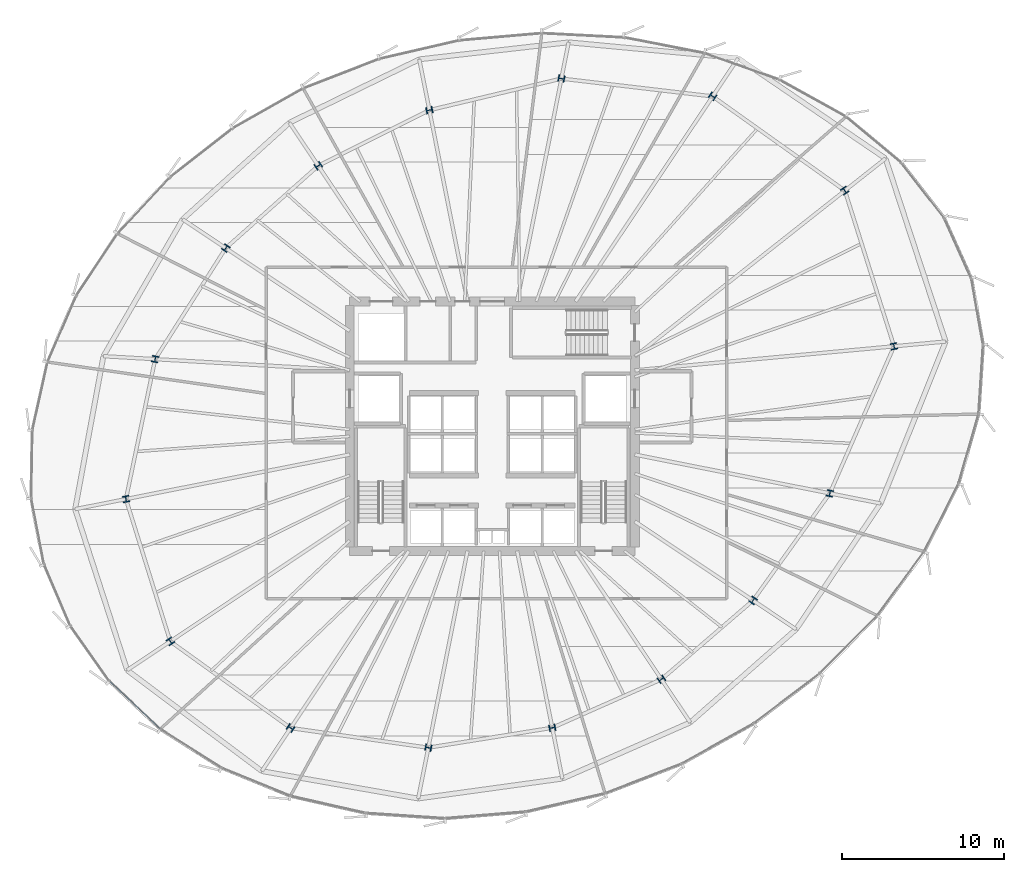
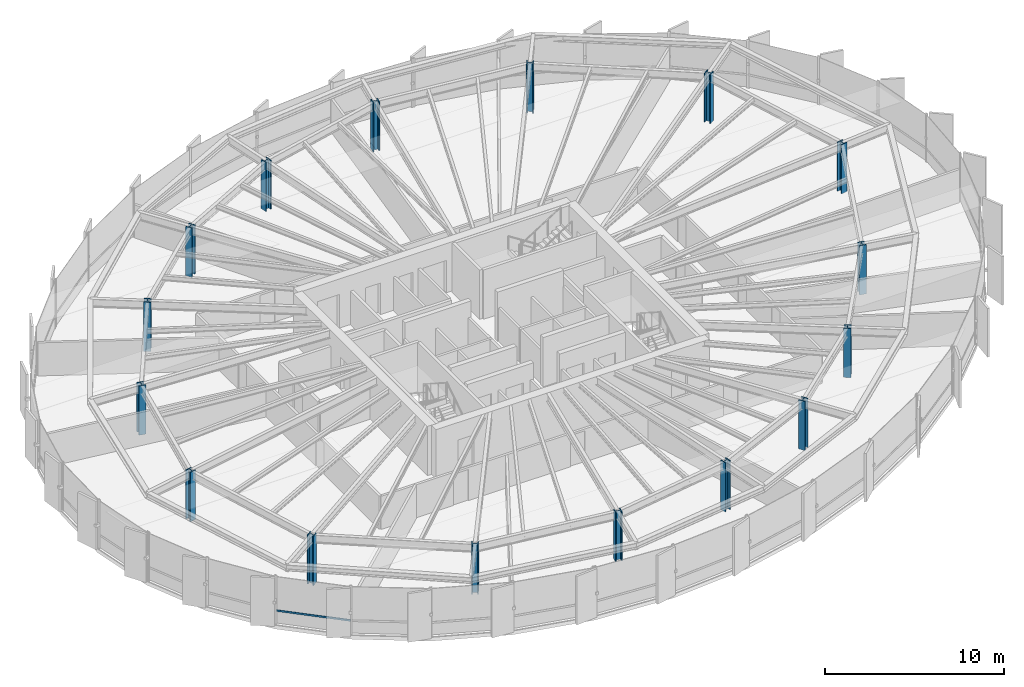
# One storey, part 1 of 35: 16 columns, 1 member, 1 element without a shape of its own.
"""IFC4 building model written with IfcOpenShell, lengths in metres."""

import ifcopenshell
import ifcopenshell.guid

model = None  # the IFC model being written
_history = None  # IfcOwnerHistory: only IFC2X3 demands one
_inside = {}  # id of a spatial element -> (the spatial element, [elements in it])
_under = {}  # id of a project, library or spatial element -> (it, [spatial elements below it])
_declared = {}  # id of a project -> (the project, [libraries it declares])
_typed = {}  # id of a type object -> (the type object, [elements of that type])
_made_of = {}  # id of a material, layer set ... -> (it, [elements and type objects made of it])


def new_model(schema):
    """Start an empty IFC model of exactly this schema.

    Asked for "IFC4X3", IfcOpenShell would pick the latest addendum, in which some entities
    have other attributes; the version numbers below select the first issue.
    IFC2X3 requires an IfcOwnerHistory on every rooted entity: one is made here for all.
    """
    global model, _history
    if schema == "IFC4X3":
        model = ifcopenshell.file(schema_version=(4, 3, 0, 0))
    else:
        model = ifcopenshell.file(schema=schema)
    _inside.clear()
    _under.clear()
    _declared.clear()
    _typed.clear()
    _made_of.clear()
    _history = None
    if model.schema == "IFC2X3":
        org = make("IfcOrganization", Name="unknown")
        user = make(
            "IfcPersonAndOrganization",
            ThePerson=make("IfcPerson", FamilyName="unknown"),
            TheOrganization=org,
        )
        app = make(
            "IfcApplication",
            ApplicationDeveloper=org,
            Version="unknown",
            ApplicationFullName="unknown",
            ApplicationIdentifier="unknown",
        )
        _history = make(
            "IfcOwnerHistory",
            OwningUser=user,
            OwningApplication=app,
            ChangeAction="ADDED",
            CreationDate=0,
        )
    return model


def make(cls, **values):
    """One entity of the class cls with the attributes given. An attribute that is None is left unset."""
    return model.create_entity(
        cls, **{name: value for name, value in values.items() if value is not None}
    )


def rooted(cls, **values):
    """An entity with a GlobalId (a new one), such as an element, a storey or a relation."""
    return make(cls, GlobalId=ifcopenshell.guid.new(), OwnerHistory=_history, **values)


def si_unit(unit_type, name, prefix=None):
    """IfcSIUnit, for example si_unit("LENGTHUNIT", "METRE", prefix="MILLI")."""
    return make("IfcSIUnit", UnitType=unit_type, Prefix=prefix, Name=name)


def assignment(units):
    """IfcUnitAssignment: the units of a project."""
    return None if units is None else make("IfcUnitAssignment", Units=units)


def point(xyz):
    """IfcCartesianPoint."""
    return None if xyz is None else make("IfcCartesianPoint", Coordinates=xyz)


def direction(xyz):
    """IfcDirection."""
    return None if xyz is None else make("IfcDirection", DirectionRatios=xyz)


def frame(location, z_axis=None, x_axis=None):
    """IfcAxis2Placement3D, a coordinate frame: its origin and axes. An axis left out is left unset."""
    return make(
        "IfcAxis2Placement3D",
        Location=point(location),
        Axis=direction(z_axis),
        RefDirection=direction(x_axis),
    )


def frame_2d(location, x_axis=None):
    """IfcAxis2Placement2D, a coordinate frame in the plane: its origin and x axis."""
    return make(
        "IfcAxis2Placement2D", Location=point(location), RefDirection=direction(x_axis)
    )


def origin():
    """The frame at (0, 0, 0) with its axes left unset."""
    return frame((0.0, 0.0, 0.0))


def origin_2d():
    """The frame at (0, 0) in the plane with its x axis left unset."""
    return frame_2d((0.0, 0.0))


def place(relative_to, where):
    """IfcLocalPlacement: puts the frame where relative to a parent placement (None: the world)."""
    return make(
        "IfcLocalPlacement", PlacementRelTo=relative_to, RelativePlacement=where
    )


def context(
    kind, dimensions, precision=None, world=None, true_north=None, identifier=None
):
    """IfcGeometricRepresentationContext, for example the 3D "Model" context."""
    return make(
        "IfcGeometricRepresentationContext",
        ContextIdentifier=identifier,
        ContextType=kind,
        CoordinateSpaceDimension=dimensions,
        Precision=precision,
        WorldCoordinateSystem=world,
        TrueNorth=true_north,
    )


def subcontext(parent, identifier, kind, view, scale=None):
    """IfcGeometricRepresentationSubContext, for example "Body" below "Model"."""
    return make(
        "IfcGeometricRepresentationSubContext",
        ContextIdentifier=identifier,
        ContextType=kind,
        ParentContext=parent,
        TargetScale=scale,
        TargetView=view,
    )


def project(units=None, contexts=None):
    """IfcProject with its units and contexts."""
    return rooted(
        "IfcProject",
        Name="project",
        RepresentationContexts=contexts,
        UnitsInContext=assignment(units),
    )


def spatial(cls, under=None, at=None, **own):
    """A site, building, storey or space (cls), placed at a placement, below another one or the project."""
    s = rooted(cls, ObjectPlacement=at, **own)
    if under is not None:
        _under.setdefault(under.id(), (under, []))[1].append(s)
    return s


def profile(cls, at=None, kind="AREA", **sizes):
    """A parametric profile (cls). Its sizes go by their IFC names, for example OverallWidth=200.0."""
    return make(cls, ProfileType=kind, Position=at, **sizes)


def hollow_rectangle(**sizes):
    """IfcRectangleHollowProfileDef."""
    return profile("IfcRectangleHollowProfileDef", **sizes)


def i_section(**sizes):
    """IfcIShapeProfileDef."""
    return profile("IfcIShapeProfileDef", **sizes)


def extrude(swept, where, along, depth):
    """IfcExtrudedAreaSolid: the profile swept, set in the frame where, extruded along a direction by depth."""
    return make(
        "IfcExtrudedAreaSolid",
        SweptArea=swept,
        Position=where,
        ExtrudedDirection=direction(along),
        Depth=depth,
    )


def shape(context_of_items, identifier, shape_type, items):
    """IfcShapeRepresentation: the items that make up one representation, for example the "Body"."""
    return make(
        "IfcShapeRepresentation",
        ContextOfItems=context_of_items,
        RepresentationIdentifier=identifier,
        RepresentationType=shape_type,
        Items=items,
    )


def source(mapping_origin, context_of_items, identifier, shape_type, items):
    """IfcRepresentationMap: a shape defined once, which mapped items show again and again."""
    return make(
        "IfcRepresentationMap",
        MappingOrigin=mapping_origin,
        MappedRepresentation=shape(context_of_items, identifier, shape_type, items),
    )


def transform(
    local_origin,
    x_axis=None,
    y_axis=None,
    z_axis=None,
    scale=None,
    scale2=None,
    scale3=None,
    uniform=True,
):
    """IfcCartesianTransformationOperator3D, or its non-uniform kind. x_axis, y_axis, z_axis: its Axis1, 2, 3."""
    if uniform:
        return make(
            "IfcCartesianTransformationOperator3D",
            Axis1=direction(x_axis),
            Axis2=direction(y_axis),
            LocalOrigin=point(local_origin),
            Scale=scale,
            Axis3=direction(z_axis),
        )
    return make(
        "IfcCartesianTransformationOperator3DnonUniform",
        Axis1=direction(x_axis),
        Axis2=direction(y_axis),
        LocalOrigin=point(local_origin),
        Scale=scale,
        Axis3=direction(z_axis),
        Scale2=scale2,
        Scale3=scale3,
    )


def mapped(mapping_source, mapping_target):
    """IfcMappedItem: shows the shape of a source again, moved by a transform."""
    return make(
        "IfcMappedItem", MappingSource=mapping_source, MappingTarget=mapping_target
    )


def material(Name=None, Category=None):
    """IfcMaterial."""
    return make("IfcMaterial", Name=Name, Category=Category)


def layer(
    of_material, thickness, ventilated=None, Name=None, Category=None, Priority=None
):
    """IfcMaterialLayer: one layer of a wall or slab, of a material (None: an air gap)."""
    return make(
        "IfcMaterialLayer",
        Material=of_material,
        LayerThickness=thickness,
        IsVentilated=ventilated,
        Name=Name,
        Category=Category,
        Priority=Priority,
    )


def layer_set(layers, Name=None):
    """IfcMaterialLayerSet."""
    return make("IfcMaterialLayerSet", MaterialLayers=layers, LayerSetName=Name)


def material_profile(
    of_material, cross_section, Name=None, Category=None, Priority=None
):
    """IfcMaterialProfile: a cross section and its material."""
    return make(
        "IfcMaterialProfile",
        Name=Name,
        Material=of_material,
        Profile=cross_section,
        Priority=Priority,
        Category=Category,
    )


def profile_set(profiles, Name=None, composite=None):
    """IfcMaterialProfileSet."""
    return make(
        "IfcMaterialProfileSet",
        Name=Name,
        MaterialProfiles=profiles,
        CompositeProfile=composite,
    )


def made_of(thing, what):
    """Note that an element or type object is made of a material, layer set ...; save() writes the relation."""
    if what is not None:
        _made_of.setdefault(what.id(), (what, []))[1].append(thing)
    return thing


def type_object(cls, material=None, **own):
    """A type object (cls), such as IfcWallType, which elements share."""
    return made_of(rooted(cls, **own), material)


def element(
    cls,
    number,
    at=None,
    inside=None,
    cuts=None,
    type_object=None,
    material=None,
    context=None,
    identifier="Body",
    shape_type=None,
    held_by="IfcProductDefinitionShape",
    body=None,
    shapes=None,
    **own,
):
    """One element of the class cls, such as IfcWall. Its Tag is "e" and its number.

    at: its placement. inside: the storey or other place that contains it. cuts: it is an
    opening in that element (IfcRelVoidsElement). A single representation is given by context,
    identifier, shape_type and body (its items); several are given by shapes. held_by: the class
    of the entity that holds the representations. save() writes the other relations.
    """
    e = rooted(cls, Tag="e%d" % number, ObjectPlacement=at, **own)
    if body is not None:
        shapes = [shape(context, identifier, shape_type, body)]
    if shapes is not None:
        e.Representation = make(held_by, Representations=shapes)
    if inside is not None:
        _inside.setdefault(inside.id(), (inside, []))[1].append(e)
    if cuts is not None:
        rooted(
            "IfcRelVoidsElement", RelatingBuildingElement=cuts, RelatedOpeningElement=e
        )
    if type_object is not None:
        _typed.setdefault(type_object.id(), (type_object, []))[1].append(e)
    return made_of(e, material)


def aggregate(whole, parts):
    """IfcRelAggregates: a whole, such as a stair, and the parts it consists of."""
    return rooted("IfcRelAggregates", RelatingObject=whole, RelatedObjects=parts)


def save(model, path):
    """Write the relations noted so far, then the file.

    IfcRelAggregates (storeys below a building ...), IfcRelContainedInSpatialStructure (elements
    in a storey), IfcRelDefinesByType, IfcRelAssociatesMaterial and IfcRelDeclares: one each for
    every whole, place, type object, material and project.
    """
    for whole, parts in _under.values():
        aggregate(whole, parts)
    for where, things in _inside.values():
        rooted(
            "IfcRelContainedInSpatialStructure",
            RelatedElements=things,
            RelatingStructure=where,
        )
    for kind, things in _typed.values():
        rooted("IfcRelDefinesByType", RelatedObjects=things, RelatingType=kind)
    for what, things in _made_of.values():
        rooted("IfcRelAssociatesMaterial", RelatedObjects=things, RelatingMaterial=what)
    for by, libraries in _declared.values():
        rooted("IfcRelDeclares", RelatingContext=by, RelatedDefinitions=libraries)
    model.write(path)


model = new_model("IFC4")

# Units and contexts
model_context = context("Model", 3, precision=1e-05, world=origin(), true_north=direction((0.0, 1.0)))
body_context = subcontext(model_context, "Body", "Model", "MODEL_VIEW")
ifc_project = project(units=[si_unit("LENGTHUNIT", "METRE"), si_unit("AREAUNIT", "SQUARE_METRE"), si_unit("VOLUMEUNIT", "CUBIC_METRE"), si_unit("PLANEANGLEUNIT", "RADIAN"), si_unit("MASSUNIT", "GRAM", prefix="KILO"), si_unit("THERMODYNAMICTEMPERATUREUNIT", "KELVIN")], contexts=[model_context])

# Site, building, storey
site_placement = place(None, origin())
site = spatial("IfcSite", under=ifc_project, at=site_placement, CompositionType="ELEMENT")
building_placement = place(site_placement, origin())
building = spatial("IfcBuilding", under=site, at=building_placement, Name="Kethvar Cultural Tower", CompositionType="ELEMENT")
storey_placement = place(building_placement, frame((0.0, 0.0, 103.60009765625)))
storey = spatial("IfcBuildingStorey", under=building, at=storey_placement, Name="L25", CompositionType="ELEMENT", Elevation=103.60009765625)

# Columns
ifc_material_1 = material(Name="Steel S460M", Category="steel")
ifc_material_profile_1 = material_profile(ifc_material_1, i_section(OverallWidth=0.405029296875, OverallDepth=0.39794921875, WebThickness=0.034912109375, FlangeThickness=0.055908203125, FilletRadius=0.014892578125, at=origin_2d()), Name="Steel S460M — HD400x744")
ifc_profile_set_1 = profile_set([ifc_material_profile_1], Name="Steel S460M — HD400x744")
column_type = type_object("IfcColumnType", Name="COL-HD744", PredefinedType="COLUMN", material=ifc_profile_set_1)
shared_shape_1 = source(origin(), body_context, "Body", "SweptSolid", [
    extrude(i_section(OverallWidth=0.405029296875, OverallDepth=0.39794921875, WebThickness=0.034912109375, FlangeThickness=0.055908203125, FilletRadius=0.014892578125, at=origin_2d()), origin(), (0.0, 0.0, 1.0), 3.349853515625),
])
for number, where, z_axis, x_axis, name in (
    (1, (71.6025390625, 32.7333984375, 0.0), (0.0, 0.0, 1.0), (0.980785280403, 0.195090322016, 0.0), "L25 Mega-Column MC-01"),
    (2, (68.568603515625, 42.34521484375, 0.0), (0.0, 0.0, 1.0), (0.831469612303, 0.55557023302, 0.0), "L25 Mega-Column MC-02"),
    (3, (60.40478515625, 48.160888671875, 0.0), (0.0, 0.0, 1.0), (0.55557023302, 0.831469612303, 0.0), "L25 Mega-Column MC-03"),
    (4, (51.068603515625, 49.25927734375, 0.0), (0.0, 0.0, 1.0), (0.195090322016, 0.980785280403, 0.0), "L25 Mega-Column MC-04"),
    (5, (42.9189453125, 47.311279296875, 0.0), (0.0, 0.0, 1.0), (-0.195090322016, 0.980785280403, 0.0), "L25 Mega-Column MC-05"),
    (6, (36.0576171875, 43.877197265625, 0.0), (0.0, 0.0, 1.0), (-0.55557023302, 0.831469612303, 0.0), "L25 Mega-Column MC-06"),
    (7, (30.345947265625, 38.794189453125, 0.0), (0.0, 0.0, 1.0), (-0.831469612303, 0.55557023302, 0.0), "L25 Mega-Column MC-07"),
    (8, (25.988525390625, 31.939697265625, 0.0), (0.0, 0.0, 1.0), (-0.980785280403, 0.195090322016, 0.0), "L25 Mega-Column MC-08"),
    (9, (24.185302734375, 23.3017578125, 0.0), (0.0, 0.0, 1.0), (-0.980785280403, -0.195090322016, 0.0), "L25 Mega-Column MC-09"),
    (10, (26.920654296875, 14.51708984375, 0.0), (0.0, 0.0, 1.0), (-0.831469612303, -0.55557023302, 0.0), "L25 Mega-Column MC-10"),
    (11, (34.350830078125, 9.16845703125, 0.0), (0.0, 0.0, 1.0), (-0.55557023302, -0.831469612303, 0.0), "L25 Mega-Column MC-11"),
    (12, (42.852294921875, 7.95361328125, 0.0), (0.0, 0.0, 1.0), (-0.195090322016, -0.980785280403, 0.0), "L25 Mega-Column MC-12"),
    (13, (50.50341796875, 9.182373046875, 0.0), (0.0, 0.0, 1.0), (0.195090322016, -0.980785280403, 0.0), "L25 Mega-Column MC-13"),
    (14, (57.241943359375, 12.17236328125, 0.0), (0.0, 0.0, 1.0), (0.55557023302, -0.831469612303, 0.0), "L25 Mega-Column MC-14"),
    (15, (62.898681640625, 17.043212890625, 0.0), (0.0, 0.0, 1.0), (0.831469612303, -0.55557023302, 0.0), "L25 Mega-Column MC-15"),
    (16, (67.638671875, 23.65478515625, 0.0), (0.0, 0.0, 1.0), (0.980785280403, -0.195090322016, 0.0), "L25 Mega-Column MC-16"),
):
    element("IfcColumn", number, at=place(storey_placement, frame(where, z_axis=z_axis, x_axis=x_axis)), inside=storey, type_object=column_type, Name=name, PredefinedType="COLUMN", context=body_context, shape_type="MappedRepresentation", body=[
        mapped(shared_shape_1, transform((0.0, 0.0, 0.0), scale=1.0)),
    ])

# Curtain wall, member
ifc_material_2 = material(Name="Aluminium 6063-T6", Category="aluminium")
ifc_layer = layer(ifc_material_2, 0.179931640625, Name="Aluminium 6063-T6", Category="aluminium")
ifc_layer_set = layer_set([ifc_layer], Name="Aluminium 6063-T6 (180 mm)")
curtain_wall_type = type_object("IfcCurtainWallType", Name="CW-SYS-03-Z2", PredefinedType="NOTDEFINED", material=ifc_layer_set)
curtain_wall_placement = place(storey_placement, origin())
curtain_wall = element("IfcCurtainWall", 17, at=curtain_wall_placement, inside=storey, type_object=curtain_wall_type, Name="L25 Curtain Wall Run 04", PredefinedType="NOTDEFINED")
ifc_material_profile_2 = material_profile(ifc_material_2, hollow_rectangle(XDim=0.054931640625, YDim=0.1201171875, WallThickness=0.00390625, at=origin_2d()), Name="Aluminium 6063-T6 — RHS120x55x4")
ifc_profile_set_2 = profile_set([ifc_material_profile_2], Name="Aluminium 6063-T6 — RHS120x55x4")
member_type = type_object("IfcMemberType", Name="CW-SYS-03-Z2-TRN", PredefinedType="USERDEFINED", material=ifc_profile_set_2)
shared_shape_2 = source(origin(), body_context, "Body", "SweptSolid", [
    extrude(hollow_rectangle(XDim=0.054931640625, YDim=0.1201171875, WallThickness=0.00390625, at=origin_2d()), origin(), (0.0, 0.0, 1.0), 4.24365234375),
])
member_placement = place(storey_placement, frame((23.202880859375, 12.034912109375, 0.949951171875), z_axis=(0.728156078459, -0.685411354883, 0.0), x_axis=(0.685411354883, 0.728156078459, 0.0)))
member = element("IfcMember", 18, at=member_placement, type_object=member_type, Name="CW-L25-R04 Transom 3", ObjectType="TRANSOM", PredefinedType="USERDEFINED", context=body_context, shape_type="MappedRepresentation", body=[
    mapped(shared_shape_2, transform((0.0, 0.0, 0.0), scale=1.0)),
])
aggregate(curtain_wall, [member])

save(model, "model.ifc")
